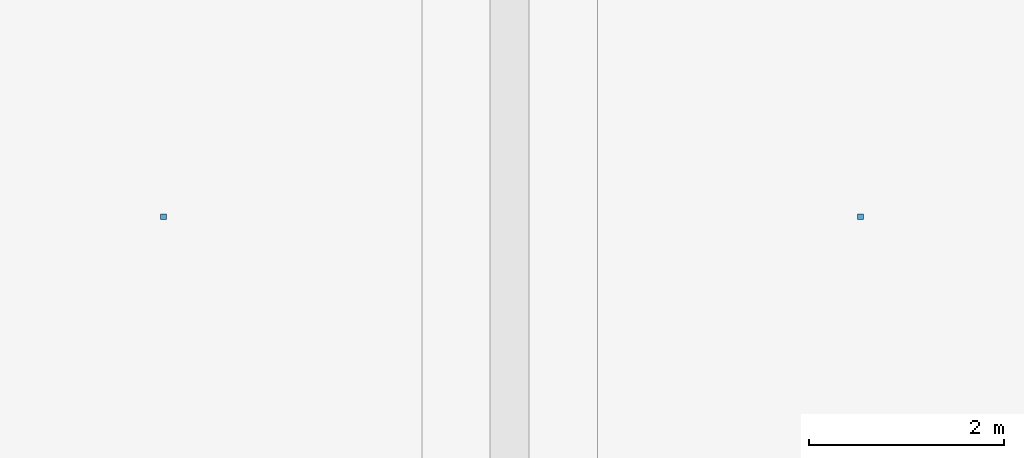
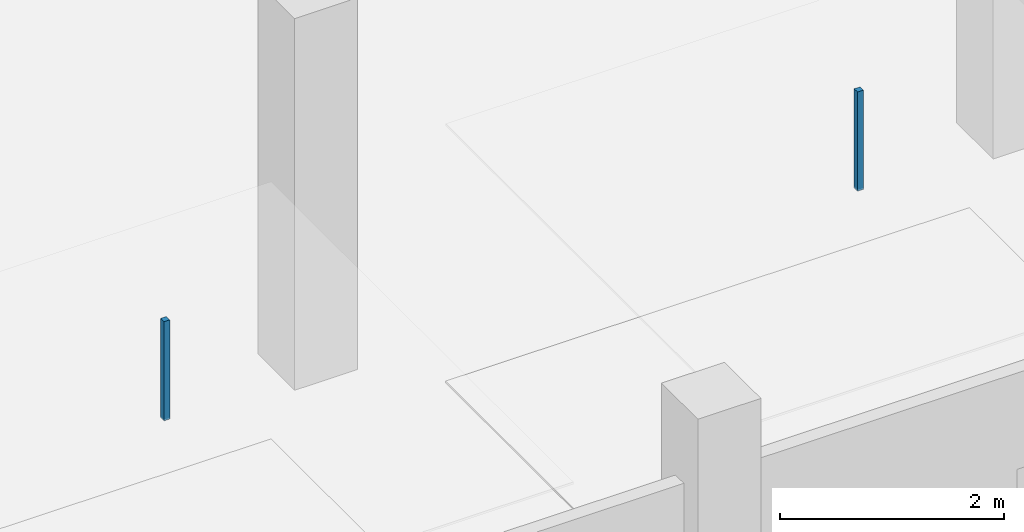
# One storey, part 92 of 107: 2 discrete accessories.
"""IFC4 building model written with IfcOpenShell, lengths in metres."""

from ifc_helpers import new_model, si_unit, direction, frame, origin, origin_2d, place, context, subcontext, project, spatial, rectangle, extrude, material, type_object, element, save


model = new_model("IFC4")

# Units and contexts
model_context = context("Model", 3, precision=1e-05, world=origin(), true_north=direction((0.0, 1.0)))
body_context = subcontext(model_context, "Body", "Model", "MODEL_VIEW")
ifc_project = project(units=[si_unit("LENGTHUNIT", "METRE"), si_unit("AREAUNIT", "SQUARE_METRE"), si_unit("VOLUMEUNIT", "CUBIC_METRE"), si_unit("PLANEANGLEUNIT", "RADIAN"), si_unit("MASSUNIT", "GRAM", prefix="KILO")], contexts=[model_context])

# Site, building, storey
site_placement = place(None, origin())
site = spatial("IfcSite", under=ifc_project, at=site_placement, CompositionType="ELEMENT")
building_placement = place(site_placement, origin())
building = spatial("IfcBuilding", under=site, at=building_placement, Name="Kangsadwip Square Police Headquarters", CompositionType="ELEMENT")
storey_placement = place(building_placement, frame((0.0, 0.0, 5.39990234375)))
storey = spatial("IfcBuildingStorey", under=building, at=storey_placement, Name="L01", CompositionType="ELEMENT", Elevation=5.39990234375)

# Discrete accessories
ifc_material = material(Name="Structural steel IS 2062 E350 (Grade 350, 350 MPa)", Category="steel")
discrete_accessory_type = type_object("IfcDiscreteAccessoryType", Name="VeilOutriggerBracket", PredefinedType="BRACKET", material=ifc_material)
for number, where, z_axis, x_axis, name in (
    (1, (3.64990234375, 104.39990234375, 2.81005859375), (0.0, 0.0, 1.0), (1.0, 0.0, 0.0), "Ceiling Suspension Hanger L01-035"),
    (2, (10.800048828125, 104.39990234375, 2.81005859375), (0.0, 0.0, 1.0), (1.0, 0.0, 0.0), "Ceiling Suspension Hanger L01-036"),
):
    element("IfcDiscreteAccessory", number, at=place(storey_placement, frame(where, z_axis=z_axis, x_axis=x_axis)), inside=storey, type_object=discrete_accessory_type, Name=name, PredefinedType="BRACKET", context=body_context, shape_type="SweptSolid", body=[
        extrude(rectangle(XDim=0.06005859375, YDim=0.06005859375, at=origin_2d()), origin(), (0.0, 0.0, 1.0), 1.080078125),
    ])

save(model, "model.ifc")
